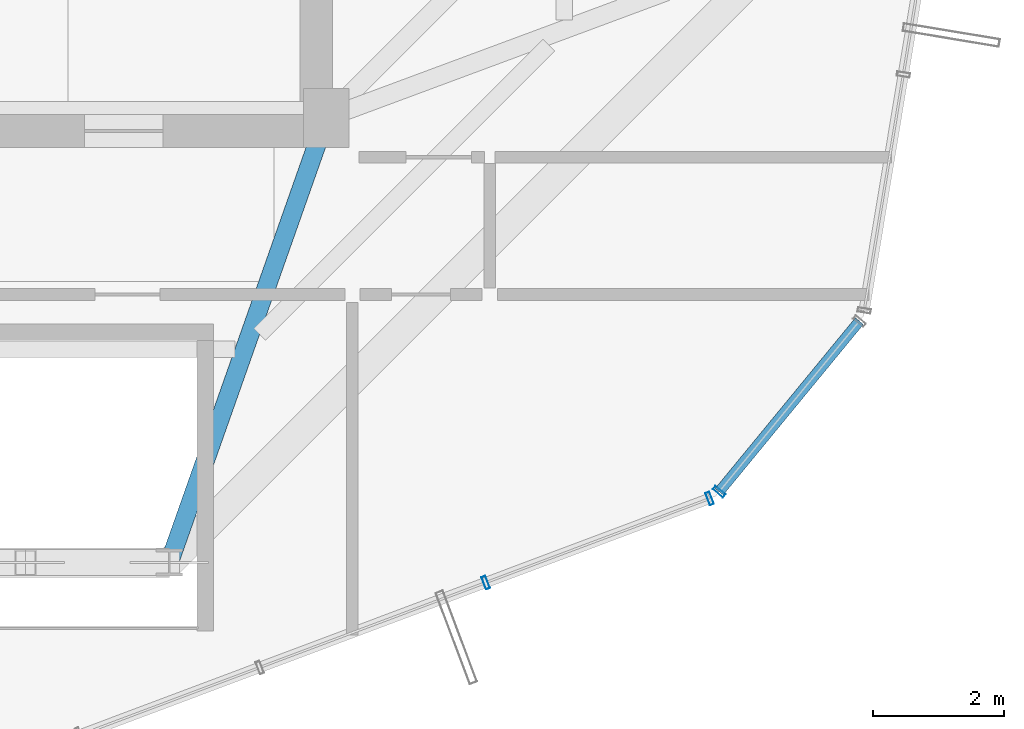
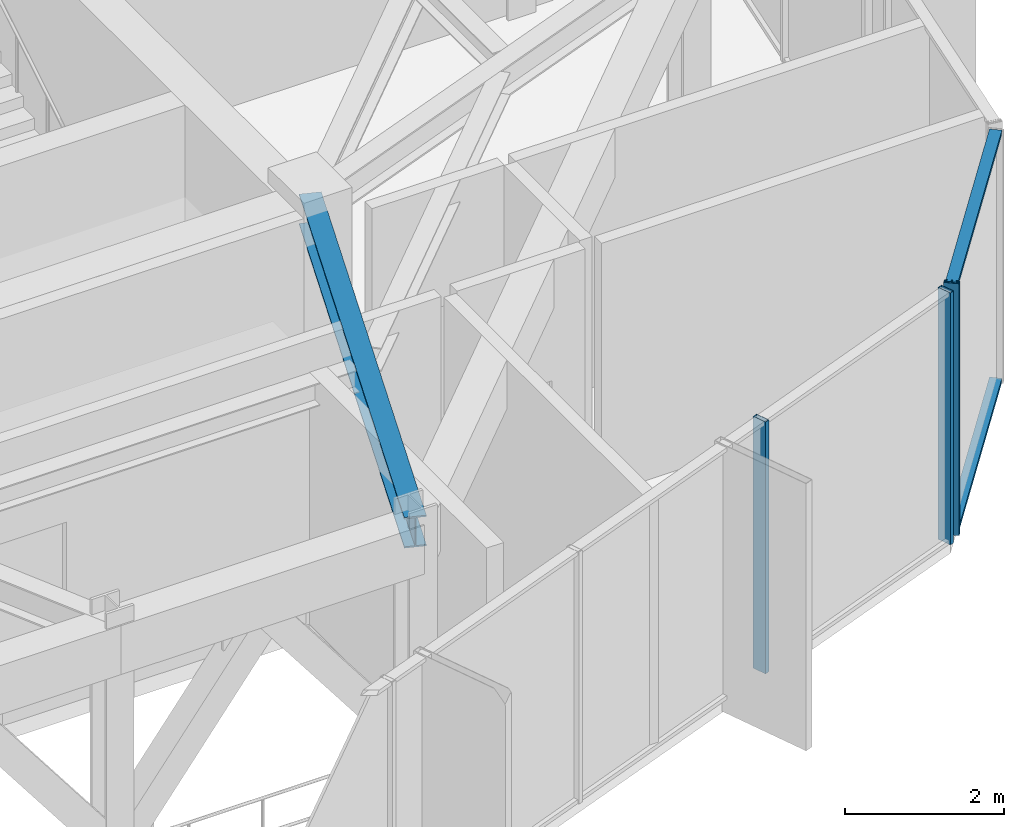
# One storey, part 7 of 22: 5 members, 1 beam, 2 elements without a shape of their own.
"""IFC4 building model written with IfcOpenShell, lengths in metres."""

from ifc_helpers import new_model, si_unit, direction, frame, origin, origin_2d, place, context, subcontext, project, spatial, hollow_rectangle, i_section, extrude, source, transform, mapped, material, layer, layer_set, material_profile, profile_set, type_object, element, aggregate, save


model = new_model("IFC4")

# Units and contexts
model_context = context("Model", 3, precision=1e-05, world=origin(), true_north=direction((0.0, 1.0)))
body_context = subcontext(model_context, "Body", "Model", "MODEL_VIEW")
ifc_project = project(units=[si_unit("LENGTHUNIT", "METRE"), si_unit("AREAUNIT", "SQUARE_METRE"), si_unit("VOLUMEUNIT", "CUBIC_METRE"), si_unit("PLANEANGLEUNIT", "RADIAN"), si_unit("MASSUNIT", "GRAM", prefix="KILO")], contexts=[model_context])

# Site, building, storey
site_placement = place(None, origin())
site = spatial("IfcSite", under=ifc_project, at=site_placement, CompositionType="ELEMENT")
building_placement = place(site_placement, origin())
building = spatial("IfcBuilding", under=site, at=building_placement, Name="Veraguas Prism Commons", CompositionType="ELEMENT")
storey_placement = place(building_placement, frame((0.0, 0.0, 240.64990234375)))
storey = spatial("IfcBuildingStorey", under=building, at=storey_placement, Name="L68", CompositionType="ELEMENT", Elevation=240.64990234375)

# Beam
ifc_material_1 = material(Name="Steel ASTM A992 Grade 50", Category="steel")
ifc_material_profile_1 = material_profile(ifc_material_1, i_section(OverallWidth=0.282958984375, OverallDepth=0.471923828125, WebThickness=0.013671875, FlangeThickness=0.022216796875, at=origin_2d()), Name="W460X144")
ifc_profile_set_1 = profile_set([ifc_material_profile_1], Name="Steel ASTM A992 Grade 50")
beam_type = type_object("IfcBeamType", Name="Zone 4 Radial Girder W460x144", PredefinedType="BEAM", material=ifc_profile_set_1)
beam_placement = place(storey_placement, frame((28.39990234375, 10.199951171875, 3.629150390625), z_axis=(0.332836055941, 0.942984708182, 0.0), x_axis=(-0.942984708182, 0.332836055941, 0.0)))
element("IfcBeam", 1, at=beam_placement, inside=storey, type_object=beam_type, Name="Radial Floor Girder L68-RD12", PredefinedType="BEAM", context=body_context, shape_type="SweptSolid", body=[
    extrude(i_section(OverallWidth=0.282958984375, OverallDepth=0.471923828125, WebThickness=0.013671875, FlangeThickness=0.022216796875, at=origin_2d()), origin(), (0.0, 0.0, 1.0), 7.211181640625),
])

# Curtain wall, members
ifc_material_2 = material(Name="Anodised aluminium EN AW-6063 T6", Category="aluminium")
ifc_layer = layer(ifc_material_2, 0.199951171875, Name="Sky Lobby and Pool Acoustic Curtain Wall", Category="aluminium")
ifc_layer_set = layer_set([ifc_layer], Name="Anodised aluminium EN AW-6063 T6")
curtain_wall_type = type_object("IfcCurtainWallType", Name="Sky Lobby and Pool Acoustic Curtain Wall", PredefinedType="NOTDEFINED", material=ifc_layer_set)
curtain_wall_1_placement = place(storey_placement, origin())
curtain_wall_1 = element("IfcCurtainWall", 2, at=curtain_wall_1_placement, inside=storey, type_object=curtain_wall_type, Name="Tower Facade Curtain Wall L68-F5", PredefinedType="NOTDEFINED")
ifc_material_profile_2 = material_profile(ifc_material_2, hollow_rectangle(XDim=0.06494140625, YDim=0.199951171875, WallThickness=0.00390625, at=origin_2d()), Name="AL65X200X4")
ifc_profile_set_2 = profile_set([ifc_material_profile_2], Name="Anodised aluminium EN AW-6063 T6")
member_type_1 = type_object("IfcMemberType", Name="Curtain Wall Mullion Heavy AL 65x200x4", PredefinedType="MULLION", material=ifc_profile_set_2)
shared_shape_1 = source(origin(), body_context, "Body", "SweptSolid", [
    extrude(hollow_rectangle(XDim=0.06494140625, YDim=0.199951171875, WallThickness=0.00390625, at=origin_2d()), origin(), (0.0, 0.0, 1.0), 3.864990234375),
])
member_1_placement = place(storey_placement, frame((33.239990234375, 9.893310546875, 0.0), z_axis=(0.0, 0.0, 1.0), x_axis=(0.936182294613, 0.351514880558, 0.0)))
member_1 = element("IfcMember", 3, at=member_1_placement, type_object=member_type_1, Name="CW-SKY Mullion 4", PredefinedType="MULLION", context=body_context, shape_type="MappedRepresentation", body=[
    mapped(shared_shape_1, transform((0.0, 0.0, 0.0), scale=1.0)),
])
member_2_placement = place(storey_placement, frame((36.66552734375, 11.179443359375, 0.0), z_axis=(0.0, 0.0, 1.0), x_axis=(0.936182294613, 0.351514880558, 0.0)))
member_2 = element("IfcMember", 4, at=member_2_placement, type_object=member_type_1, Name="CW-SKY Mullion 5", PredefinedType="MULLION", context=body_context, shape_type="MappedRepresentation", body=[
    mapped(shared_shape_1, transform((0.0, 0.0, 0.0), scale=1.0)),
])
aggregate(curtain_wall_1, [member_1, member_2])

curtain_wall_2_placement = place(storey_placement, origin())
curtain_wall_2 = element("IfcCurtainWall", 5, at=curtain_wall_2_placement, inside=storey, type_object=curtain_wall_type, Name="Chamfer Curtain Wall L68-C6", PredefinedType="NOTDEFINED")
member_3_placement = place(storey_placement, frame((36.81103515625, 11.283447265625, 0.0), z_axis=(0.0, 0.0, 1.0), x_axis=(0.63501234394, 0.772501989023, 0.0)))
member_3 = element("IfcMember", 6, at=member_3_placement, type_object=member_type_1, Name="CW-SKY Mullion 1", PredefinedType="MULLION", context=body_context, shape_type="MappedRepresentation", body=[
    mapped(shared_shape_1, transform((0.0, 0.0, 0.0), scale=1.0)),
])
ifc_material_profile_3 = material_profile(ifc_material_2, hollow_rectangle(XDim=0.06005859375, YDim=0.159912109375, WallThickness=0.0029296875, at=origin_2d()), Name="AL60X160X3")
ifc_profile_set_3 = profile_set([ifc_material_profile_3], Name="Anodised aluminium EN AW-6063 T6")
member_type_2 = type_object("IfcMemberType", Name="Curtain Wall Transom Heavy AL 60x160x3", PredefinedType="USERDEFINED", material=ifc_profile_set_3)
shared_shape_2 = source(origin(), body_context, "Body", "SweptSolid", [
    extrude(hollow_rectangle(XDim=0.06005859375, YDim=0.159912109375, WallThickness=0.0029296875, at=origin_2d()), origin(), (0.0, 0.0, 1.0), 3.37744140625),
])
member_4_placement = place(storey_placement, frame((36.81103515625, 11.283447265625, 0.030029296875), z_axis=(0.634972167567, 0.772535013068, 0.0), x_axis=(0.0, 0.0, 1.0)))
member_4 = element("IfcMember", 7, at=member_4_placement, type_object=member_type_2, Name="CW-SKY Transom 1", ObjectType="TRANSOM", PredefinedType="USERDEFINED", context=body_context, shape_type="MappedRepresentation", body=[
    mapped(shared_shape_2, transform((0.0, 0.0, 0.0), scale=1.0)),
])
member_5_placement = place(storey_placement, frame((36.81103515625, 11.283447265625, 3.835205078125), z_axis=(0.634972167567, 0.772535013068, 0.0), x_axis=(0.0, 0.0, 1.0)))
member_5 = element("IfcMember", 8, at=member_5_placement, type_object=member_type_2, Name="CW-SKY Transom 2", ObjectType="TRANSOM", PredefinedType="USERDEFINED", context=body_context, shape_type="MappedRepresentation", body=[
    mapped(shared_shape_2, transform((0.0, 0.0, 0.0), scale=1.0)),
])
aggregate(curtain_wall_2, [member_3, member_4, member_5])

save(model, "model.ifc")
